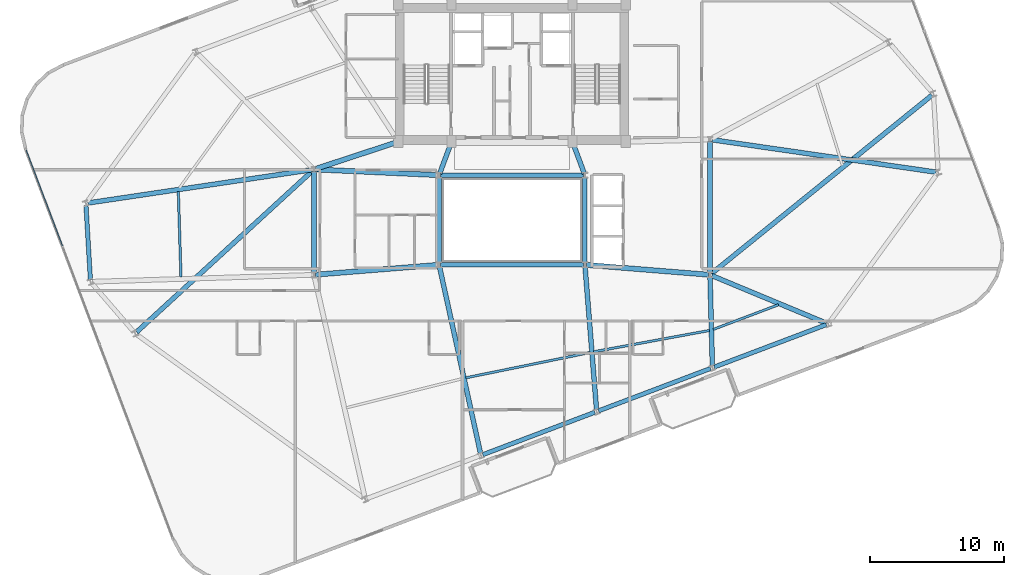
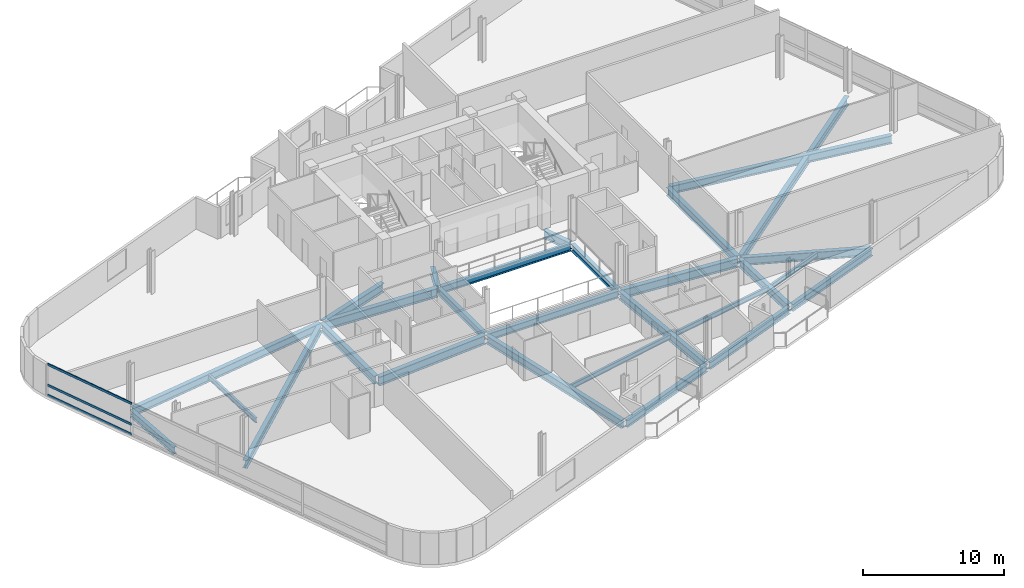
# One storey, part 7 of 20: 28 beams, 3 members, 1 element without a shape of its own.
"""IFC4 building model written with IfcOpenShell, lengths in metres."""

from ifc_helpers import new_model, si_unit, direction, frame, origin, origin_2d, place, context, subcontext, project, spatial, hollow_rectangle, i_section, extrude, material, layer, layer_set, material_profile, profile_set, type_object, element, aggregate, save


model = new_model("IFC4")

# Units and contexts
model_context = context("Model", 3, precision=1e-05, world=origin(), true_north=direction((0.0, 1.0)))
body_context = subcontext(model_context, "Body", "Model", "MODEL_VIEW")
ifc_project = project(units=[si_unit("LENGTHUNIT", "METRE"), si_unit("AREAUNIT", "SQUARE_METRE"), si_unit("VOLUMEUNIT", "CUBIC_METRE"), si_unit("PLANEANGLEUNIT", "RADIAN"), si_unit("MASSUNIT", "GRAM", prefix="KILO")], contexts=[model_context])

# Site, building, storey
site_placement = place(None, origin())
site = spatial("IfcSite", under=ifc_project, at=site_placement, CompositionType="ELEMENT")
building_placement = place(site_placement, origin())
building = spatial("IfcBuilding", under=site, at=building_placement, Name="Varnelok Gate Tower", CompositionType="ELEMENT")
storey_placement = place(building_placement, frame((0.0, 0.0, 223.800048828125)))
storey = spatial("IfcBuildingStorey", under=building, at=storey_placement, Name="L57", CompositionType="ELEMENT", Elevation=223.800048828125)

# Beams
ifc_material_1 = material(Name="Structural Steel ASTM A992 Grade 50", Category="steel")
ifc_material_profile_1 = material_profile(ifc_material_1, i_section(OverallWidth=0.180908203125, OverallDepth=0.4169921875, WebThickness=0.010986328125, FlangeThickness=0.018310546875, FilletRadius=0.013916015625, at=origin_2d()), Name="W16X57")
ifc_profile_set_1 = profile_set([ifc_material_profile_1], Name="Structural Steel ASTM A992 Grade 50")
beam_type_1 = type_object("IfcBeamType", Name="BM-JST-W16X57", PredefinedType="JOIST", material=ifc_profile_set_1)
beam_1_placement = place(storey_placement, frame((35.74951171875, 11.10107421875, -0.45849609375), z_axis=(0.979856858687, 0.199701117883, 0.0), x_axis=(-0.199701117883, 0.979856858687, 0.0)))
element("IfcBeam", 1, at=beam_1_placement, inside=storey, type_object=beam_type_1, Name="L57 Sector Floor Joist 2", PredefinedType="JOIST", context=body_context, shape_type="SweptSolid", body=[
    extrude(i_section(OverallWidth=0.180908203125, OverallDepth=0.4169921875, WebThickness=0.010986328125, FlangeThickness=0.018310546875, FilletRadius=0.013916015625, at=origin_2d()), origin(), (0.0, 0.0, 1.0), 9.478271484375),
])
beam_2_placement = place(storey_placement, frame((45.3115234375, 13.047119140625, -0.45849609375), z_axis=(0.983469046403, 0.181076323042, 0.0), x_axis=(-0.181076323042, 0.983469046403, 0.0)))
element("IfcBeam", 2, at=beam_2_placement, inside=storey, type_object=beam_type_1, Name="L57 Sector Floor Joist 3", PredefinedType="JOIST", context=body_context, shape_type="SweptSolid", body=[
    extrude(i_section(OverallWidth=0.180908203125, OverallDepth=0.4169921875, WebThickness=0.010986328125, FlangeThickness=0.018310546875, FilletRadius=0.013916015625, at=origin_2d()), origin(), (0.0, 0.0, 1.0), 8.80419921875),
])
beam_3_placement = place(storey_placement, frame((54.239013671875, 14.71630859375, -0.45849609375), z_axis=(0.935214325346, 0.354082145368, 0.0), x_axis=(-0.354082145368, 0.935214325346, 0.0)))
element("IfcBeam", 3, at=beam_3_placement, inside=storey, type_object=beam_type_1, Name="L57 Sector Floor Joist 4", PredefinedType="JOIST", context=body_context, shape_type="SweptSolid", body=[
    extrude(i_section(OverallWidth=0.180908203125, OverallDepth=0.4169921875, WebThickness=0.010986328125, FlangeThickness=0.018310546875, FilletRadius=0.013916015625, at=origin_2d()), origin(), (0.0, 0.0, 1.0), 5.2236328125),
])
beam_4_placement = place(storey_placement, frame((14.256591796875, 25.03271484375, -0.45849609375), z_axis=(0.031103851158, -0.99951615817, 0.0), x_axis=(0.99951615817, 0.031103851158, 0.0)))
element("IfcBeam", 4, at=beam_4_placement, inside=storey, type_object=beam_type_1, Name="L57 Sector Floor Joist 11", PredefinedType="JOIST", context=body_context, shape_type="SweptSolid", body=[
    extrude(i_section(OverallWidth=0.180908203125, OverallDepth=0.4169921875, WebThickness=0.010986328125, FlangeThickness=0.018310546875, FilletRadius=0.013916015625, at=origin_2d()), origin(), (0.0, 0.0, 1.0), 6.405029296875),
])
ifc_material_profile_2 = material_profile(ifc_material_1, i_section(OverallWidth=0.35498046875, OverallDepth=0.696044921875, WebThickness=0.015380859375, FlangeThickness=0.02490234375, FilletRadius=0.02001953125, at=origin_2d()), Name="W27X146")
ifc_profile_set_2 = profile_set([ifc_material_profile_2], Name="Structural Steel ASTM A992 Grade 50")
beam_type_2 = type_object("IfcBeamType", Name="BM-PRI-W27X146", PredefinedType="BEAM", material=ifc_profile_set_2)
for number, where, z_axis, x_axis, name in (
    (5, (33.791748046875, 26.362548828125, -0.59814453125), (0.348719329408, 0.937227202602, 0.0), (-0.937227202602, 0.348719329408, 0.0), "L57 Core-Atrium Spine Beam 12"),
    (6, (44.608154296875, 26.362548828125, -0.59814453125), (-0.348719329408, 0.937227202602, 0.0), (-0.937227202602, -0.348719329408, 0.0), "L57 Core-Atrium Spine Beam 13"),
):
    element("IfcBeam", number, at=place(storey_placement, frame(where, z_axis=z_axis, x_axis=x_axis)), inside=storey, type_object=beam_type_2, Name=name, PredefinedType="BEAM", context=body_context, shape_type="SweptSolid", body=[
        extrude(i_section(OverallWidth=0.35498046875, OverallDepth=0.696044921875, WebThickness=0.015380859375, FlangeThickness=0.02490234375, FilletRadius=0.02001953125, at=origin_2d()), origin(), (0.0, 0.0, 1.0), 2.42724609375),
    ])
beam_5_placement = place(storey_placement, frame((24.39990234375, 18.919921875, -0.59814453125), z_axis=(0.0, 1.0, 0.0), x_axis=(-1.0, 0.0, 0.0)))
element("IfcBeam", 7, at=beam_5_placement, inside=storey, type_object=beam_type_2, Name="L57 Core-Atrium Spine Beam 16", PredefinedType="BEAM", context=body_context, shape_type="SweptSolid", body=[
    extrude(i_section(OverallWidth=0.35498046875, OverallDepth=0.696044921875, WebThickness=0.015380859375, FlangeThickness=0.02490234375, FilletRadius=0.02001953125, at=origin_2d()), origin(), (0.0, 0.0, 1.0), 7.64013671875),
])
beam_6_placement = place(storey_placement, frame((54.0, 18.919921875, -0.59814453125), z_axis=(0.0, 1.0, 0.0), x_axis=(-1.0, 0.0, 0.0)))
element("IfcBeam", 8, at=beam_6_placement, inside=storey, type_object=beam_type_2, Name="L57 Core-Atrium Spine Beam 20", PredefinedType="BEAM", context=body_context, shape_type="SweptSolid", body=[
    extrude(i_section(OverallWidth=0.35498046875, OverallDepth=0.696044921875, WebThickness=0.015380859375, FlangeThickness=0.02490234375, FilletRadius=0.02001953125, at=origin_2d()), origin(), (0.0, 0.0, 1.0), 9.880126953125),
])
beam_7_placement = place(storey_placement, frame((33.7822265625, 19.403564453125, -0.59814453125), z_axis=(0.214566745256, -0.976709328219, 0.0), x_axis=(0.976709328219, 0.214566745256, 0.0)))
element("IfcBeam", 9, at=beam_7_placement, inside=storey, type_object=beam_type_2, Name="L57 Radial Floor Girder 2", PredefinedType="BEAM", context=body_context, shape_type="SweptSolid", body=[
    extrude(i_section(OverallWidth=0.35498046875, OverallDepth=0.696044921875, WebThickness=0.015380859375, FlangeThickness=0.02490234375, FilletRadius=0.02001953125, at=origin_2d()), origin(), (0.0, 0.0, 1.0), 14.28662109375),
])
beam_8_placement = place(storey_placement, frame((44.662109375, 19.400390625, -0.59814453125), z_axis=(0.079989916961, -0.996795672736, 0.0), x_axis=(0.996795672736, 0.079989916961, 0.0)))
element("IfcBeam", 10, at=beam_8_placement, inside=storey, type_object=beam_type_2, Name="L57 Radial Floor Girder 3", PredefinedType="BEAM", context=body_context, shape_type="SweptSolid", body=[
    extrude(i_section(OverallWidth=0.35498046875, OverallDepth=0.696044921875, WebThickness=0.015380859375, FlangeThickness=0.02490234375, FilletRadius=0.02001953125, at=origin_2d()), origin(), (0.0, 0.0, 1.0), 10.70703125),
])
beam_9_placement = place(storey_placement, frame((54.00390625, 18.650146484375, -0.59814453125), z_axis=(0.026105842948, -0.999659184404, 0.0), x_axis=(0.999659184404, 0.026105842948, 0.0)))
element("IfcBeam", 11, at=beam_9_placement, inside=storey, type_object=beam_type_2, Name="L57 Radial Floor Girder 4", PredefinedType="BEAM", context=body_context, shape_type="SweptSolid", body=[
    extrude(i_section(OverallWidth=0.35498046875, OverallDepth=0.696044921875, WebThickness=0.015380859375, FlangeThickness=0.02490234375, FilletRadius=0.02001953125, at=origin_2d()), origin(), (0.0, 0.0, 1.0), 6.649169921875),
])
beam_10_placement = place(storey_placement, frame((54.138427734375, 18.742431640625, -0.59814453125), z_axis=(0.923393134815, -0.383855595995, 0.0), x_axis=(0.383855595995, 0.923393134815, 0.0)))
element("IfcBeam", 12, at=beam_10_placement, inside=storey, type_object=beam_type_2, Name="L57 Radial Floor Girder 5", PredefinedType="BEAM", context=body_context, shape_type="SweptSolid", body=[
    extrude(i_section(OverallWidth=0.35498046875, OverallDepth=0.696044921875, WebThickness=0.015380859375, FlangeThickness=0.02490234375, FilletRadius=0.02001953125, at=origin_2d()), origin(), (0.0, 0.0, 1.0), 9.264892578125),
])
beam_11_placement = place(storey_placement, frame((54.1484375, 28.8984375, -0.59814453125), z_axis=(0.989703475153, -0.143132914699, 0.0), x_axis=(0.143132914699, 0.989703475153, 0.0)))
element("IfcBeam", 13, at=beam_11_placement, inside=storey, type_object=beam_type_2, Name="L57 Radial Floor Girder 6", PredefinedType="BEAM", context=body_context, shape_type="SweptSolid", body=[
    extrude(i_section(OverallWidth=0.35498046875, OverallDepth=0.696044921875, WebThickness=0.015380859375, FlangeThickness=0.02490234375, FilletRadius=0.02001953125, at=origin_2d()), origin(), (0.0, 0.0, 1.0), 16.932373046875),
])
beam_12_placement = place(storey_placement, frame((54.11669921875, 18.894287109375, -0.59814453125), z_axis=(0.777332597566, 0.629089844745, 0.0), x_axis=(-0.629089844745, 0.777332597566, 0.0)))
element("IfcBeam", 14, at=beam_12_placement, inside=storey, type_object=beam_type_2, Name="L57 Radial Floor Girder 7", PredefinedType="BEAM", context=body_context, shape_type="SweptSolid", body=[
    extrude(i_section(OverallWidth=0.35498046875, OverallDepth=0.696044921875, WebThickness=0.015380859375, FlangeThickness=0.02490234375, FilletRadius=0.02001953125, at=origin_2d()), origin(), (0.0, 0.0, 1.0), 21.190673828125),
])
beam_13_placement = place(storey_placement, frame((24.251708984375, 26.657958984375, -0.59814453125), z_axis=(-0.989147373927, -0.146926759485, 0.0), x_axis=(0.146926759485, -0.989147373927, 0.0)))
element("IfcBeam", 15, at=beam_13_placement, inside=storey, type_object=beam_type_2, Name="L57 Radial Floor Girder 14", PredefinedType="BEAM", context=body_context, shape_type="SweptSolid", body=[
    extrude(i_section(OverallWidth=0.35498046875, OverallDepth=0.696044921875, WebThickness=0.015380859375, FlangeThickness=0.02490234375, FilletRadius=0.02001953125, at=origin_2d()), origin(), (0.0, 0.0, 1.0), 16.942138671875),
])
beam_14_placement = place(storey_placement, frame((24.289306640625, 26.57861328125, -0.59814453125), z_axis=(-0.737119491435, -0.675762425226, 0.0), x_axis=(0.675762425226, -0.737119491435, 0.0)))
element("IfcBeam", 16, at=beam_14_placement, inside=storey, type_object=beam_type_2, Name="L57 Radial Floor Girder 16", PredefinedType="BEAM", context=body_context, shape_type="SweptSolid", body=[
    extrude(i_section(OverallWidth=0.35498046875, OverallDepth=0.696044921875, WebThickness=0.015380859375, FlangeThickness=0.02490234375, FilletRadius=0.02001953125, at=origin_2d()), origin(), (0.0, 0.0, 1.0), 17.841796875),
])
ifc_material_profile_3 = material_profile(ifc_material_1, i_section(OverallWidth=0.381103515625, OverallDepth=0.77294921875, WebThickness=0.0166015625, FlangeThickness=0.027099609375, FilletRadius=0.02197265625, at=origin_2d()), Name="W30X173")
ifc_profile_set_3 = profile_set([ifc_material_profile_3], Name="Structural Steel ASTM A992 Grade 50")
beam_type_3 = type_object("IfcBeamType", Name="BM-PRI-W30X173", PredefinedType="BEAM", material=ifc_profile_set_3)
beam_15_placement = place(storey_placement, frame((24.51953125, 18.8095703125, -0.636474609375), z_axis=(0.996799206292, 0.07994587128, 0.0), x_axis=(-0.07994587128, 0.996799206292, 0.0)))
element("IfcBeam", 17, at=beam_15_placement, inside=storey, type_object=beam_type_3, Name="L57 Core-Atrium Spine Beam 14", PredefinedType="BEAM", context=body_context, shape_type="SweptSolid", body=[
    extrude(i_section(OverallWidth=0.381103515625, OverallDepth=0.77294921875, WebThickness=0.0166015625, FlangeThickness=0.027099609375, FilletRadius=0.02197265625, at=origin_2d()), origin(), (0.0, 0.0, 1.0), 9.14013671875),
])
beam_16_placement = place(storey_placement, frame((24.52001953125, 26.674560546875, -0.636474609375), z_axis=(0.99894427814, -0.045938319209, 0.0), x_axis=(0.045938319209, 0.99894427814, 0.0)))
element("IfcBeam", 18, at=beam_16_placement, inside=storey, type_object=beam_type_3, Name="L57 Core-Atrium Spine Beam 15", PredefinedType="BEAM", context=body_context, shape_type="SweptSolid", body=[
    extrude(i_section(OverallWidth=0.381103515625, OverallDepth=0.77294921875, WebThickness=0.0166015625, FlangeThickness=0.027099609375, FilletRadius=0.02197265625, at=origin_2d()), origin(), (0.0, 0.0, 1.0), 9.11962890625),
])
beam_17_placement = place(storey_placement, frame((24.513916015625, 26.717529296875, -0.636474609375), z_axis=(0.950041943788, 0.312122259768, 0.0), x_axis=(-0.312122259768, 0.950041943788, 0.0)))
element("IfcBeam", 19, at=beam_17_placement, inside=storey, type_object=beam_type_3, Name="L57 Core-Atrium Spine Beam 17", PredefinedType="BEAM", context=body_context, shape_type="SweptSolid", body=[
    extrude(i_section(OverallWidth=0.381103515625, OverallDepth=0.77294921875, WebThickness=0.0166015625, FlangeThickness=0.027099609375, FilletRadius=0.02197265625, at=origin_2d()), origin(), (0.0, 0.0, 1.0), 6.391357421875),
])
beam_18_placement = place(storey_placement, frame((44.76953125, 19.540283203125, -0.636474609375), z_axis=(0.996799206292, -0.07994587128, 0.0), x_axis=(0.07994587128, 0.996799206292, 0.0)))
element("IfcBeam", 20, at=beam_18_placement, inside=storey, type_object=beam_type_3, Name="L57 Core-Atrium Spine Beam 18", PredefinedType="BEAM", context=body_context, shape_type="SweptSolid", body=[
    extrude(i_section(OverallWidth=0.381103515625, OverallDepth=0.77294921875, WebThickness=0.0166015625, FlangeThickness=0.027099609375, FilletRadius=0.02197265625, at=origin_2d()), origin(), (0.0, 0.0, 1.0), 9.14013671875),
])
ifc_material_profile_4 = material_profile(ifc_material_1, i_section(OverallWidth=0.323974609375, OverallDepth=0.611083984375, WebThickness=0.0126953125, FlangeThickness=0.01904296875, FilletRadius=0.01806640625, at=origin_2d()), Name="W24X104")
ifc_profile_set_4 = profile_set([ifc_material_profile_4], Name="Structural Steel ASTM A992 Grade 50")
beam_type_4 = type_object("IfcBeamType", Name="BM-SPN-W24X104", PredefinedType="SPANDREL", material=ifc_profile_set_4)
for number, where, z_axis, x_axis, name in (
    (21, (33.8701171875, 19.550048828125, -0.5556640625), (1.0, 0.0, 0.0), (0.0, 1.0, 0.0), "L57 Core-Atrium Spine Beam 8"),
    (22, (33.8701171875, 26.25, -0.5556640625), (1.0, 0.0, 0.0), (0.0, 1.0, 0.0), "L57 Core-Atrium Spine Beam 9"),
):
    element("IfcBeam", number, at=place(storey_placement, frame(where, z_axis=z_axis, x_axis=x_axis)), inside=storey, type_object=beam_type_4, Name=name, PredefinedType="SPANDREL", context=body_context, shape_type="SweptSolid", body=[
        extrude(i_section(OverallWidth=0.323974609375, OverallDepth=0.611083984375, WebThickness=0.0126953125, FlangeThickness=0.01904296875, FilletRadius=0.01806640625, at=origin_2d()), origin(), (0.0, 0.0, 1.0), 10.659912109375),
    ])
for number, where, z_axis, x_axis, name in (
    (23, (33.75, 19.669921875, -0.5556640625), (0.0, 1.0, 0.0), (-1.0, 0.0, 0.0), "L57 Core-Atrium Spine Beam 10"),
    (24, (44.64990234375, 19.669921875, -0.5556640625), (0.0, 1.0, 0.0), (-1.0, 0.0, 0.0), "L57 Core-Atrium Spine Beam 11"),
):
    element("IfcBeam", number, at=place(storey_placement, frame(where, z_axis=z_axis, x_axis=x_axis)), inside=storey, type_object=beam_type_4, Name=name, PredefinedType="SPANDREL", context=body_context, shape_type="SweptSolid", body=[
        extrude(i_section(OverallWidth=0.323974609375, OverallDepth=0.611083984375, WebThickness=0.0126953125, FlangeThickness=0.01904296875, FilletRadius=0.01806640625, at=origin_2d()), origin(), (0.0, 0.0, 1.0), 6.4599609375),
    ])
beam_19_placement = place(storey_placement, frame((37.02001953125, 5.356201171875, -0.5556640625), z_axis=(0.935220356141, 0.354066216208, 0.0), x_axis=(-0.354066216208, 0.935220356141, 0.0)))
element("IfcBeam", 25, at=beam_19_placement, inside=storey, type_object=beam_type_4, Name="L57 Perimeter Spandrel Beam 2", PredefinedType="SPANDREL", context=body_context, shape_type="SweptSolid", body=[
    extrude(i_section(OverallWidth=0.323974609375, OverallDepth=0.611083984375, WebThickness=0.0126953125, FlangeThickness=0.01904296875, FilletRadius=0.01806640625, at=origin_2d()), origin(), (0.0, 0.0, 1.0), 8.9501953125),
])
for number, where, z_axis, x_axis, name in (
    (26, (45.6708984375, 8.63134765625, -0.5556640625), (0.935216936382, 0.354075248928, 0.0), (-0.354075248928, 0.935216936382, 0.0), "L57 Perimeter Spandrel Beam 3"),
    (27, (54.32177734375, 11.906494140625, -0.5556640625), (0.935225969099, 0.354051389947, 0.0), (-0.354051389947, 0.935225969099, 0.0), "L57 Perimeter Spandrel Beam 4"),
):
    element("IfcBeam", number, at=place(storey_placement, frame(where, z_axis=z_axis, x_axis=x_axis)), inside=storey, type_object=beam_type_4, Name=name, PredefinedType="SPANDREL", context=body_context, shape_type="SweptSolid", body=[
        extrude(i_section(OverallWidth=0.323974609375, OverallDepth=0.611083984375, WebThickness=0.0126953125, FlangeThickness=0.01904296875, FilletRadius=0.01806640625, at=origin_2d()), origin(), (0.0, 0.0, 1.0), 8.949951171875),
    ])
beam_20_placement = place(storey_placement, frame((7.353759765625, 23.996826171875, -0.5556640625), z_axis=(0.059497061762, -0.99822848068, 0.0), x_axis=(0.99822848068, 0.059497061762, 0.0)))
element("IfcBeam", 28, at=beam_20_placement, inside=storey, type_object=beam_type_4, Name="L57 Perimeter Spandrel Beam 14", PredefinedType="SPANDREL", context=body_context, shape_type="SweptSolid", body=[
    extrude(i_section(OverallWidth=0.323974609375, OverallDepth=0.611083984375, WebThickness=0.0126953125, FlangeThickness=0.01904296875, FilletRadius=0.01806640625, at=origin_2d()), origin(), (0.0, 0.0, 1.0), 5.576416015625),
])

# Curtain wall, members
ifc_material_2 = material(Name="Anodized Aluminum Alloy 6063-T6", Category="aluminium")
ifc_layer = layer(ifc_material_2, 0.179931640625)
ifc_layer_set = layer_set([ifc_layer], Name="Anodized Aluminum Alloy 6063-T6")
curtain_wall_type = type_object("IfcCurtainWallType", Name="CW4-RESIDENCE-VISION", PredefinedType="USERDEFINED", material=ifc_layer_set)
curtain_wall_placement = place(storey_placement, origin())
curtain_wall = element("IfcCurtainWall", 29, at=curtain_wall_placement, inside=storey, type_object=curtain_wall_type, Name="L57 West End Vision Curtain Wall", ObjectType="UNITISED CURTAIN WALL", PredefinedType="USERDEFINED")
ifc_material_profile_5 = material_profile(ifc_material_2, hollow_rectangle(XDim=0.074951171875, YDim=0.199951171875, WallThickness=0.00390625, at=origin_2d()), Name="ALU200X75X4")
ifc_profile_set_5 = profile_set([ifc_material_profile_5], Name="Anodized Aluminum Alloy 6063-T6")
member_type = type_object("IfcMemberType", Name="CW-TRAN-200", PredefinedType="USERDEFINED", material=ifc_profile_set_5)
member_1_placement = place(storey_placement, frame((5.60009765625, 20.9599609375, 0.037353515625), z_axis=(-0.354073041953, 0.935217771945, 0.0), x_axis=(-0.935217771945, -0.354073041953, 0.0)))
member_1 = element("IfcMember", 30, at=member_1_placement, type_object=member_type, Name="CW4 transom 4.1", ObjectType="TRANSOM", PredefinedType="USERDEFINED", context=body_context, shape_type="SweptSolid", body=[
    extrude(hollow_rectangle(XDim=0.074951171875, YDim=0.199951171875, WallThickness=0.00390625, at=origin_2d()), origin(), (0.0, 0.0, 1.0), 7.6875),
])
member_2_placement = place(storey_placement, frame((5.60009765625, 20.9599609375, 0.89990234375), z_axis=(-0.354073041953, 0.935217771945, 0.0), x_axis=(-0.935217771945, -0.354073041953, 0.0)))
member_2 = element("IfcMember", 31, at=member_2_placement, type_object=member_type, Name="CW4 transom 4.2", ObjectType="TRANSOM", PredefinedType="USERDEFINED", context=body_context, shape_type="SweptSolid", body=[
    extrude(hollow_rectangle(XDim=0.074951171875, YDim=0.199951171875, WallThickness=0.00390625, at=origin_2d()), origin(), (0.0, 0.0, 1.0), 7.6875),
])
member_3_placement = place(storey_placement, frame((5.60009765625, 20.9599609375, 2.6923828125), z_axis=(-0.354073041953, 0.935217771945, 0.0), x_axis=(-0.935217771945, -0.354073041953, 0.0)))
member_3 = element("IfcMember", 32, at=member_3_placement, type_object=member_type, Name="CW4 transom 4.3", ObjectType="TRANSOM", PredefinedType="USERDEFINED", context=body_context, shape_type="SweptSolid", body=[
    extrude(hollow_rectangle(XDim=0.074951171875, YDim=0.199951171875, WallThickness=0.00390625, at=origin_2d()), origin(), (0.0, 0.0, 1.0), 7.6875),
])
aggregate(curtain_wall, [member_1, member_2, member_3])

save(model, "model.ifc")
